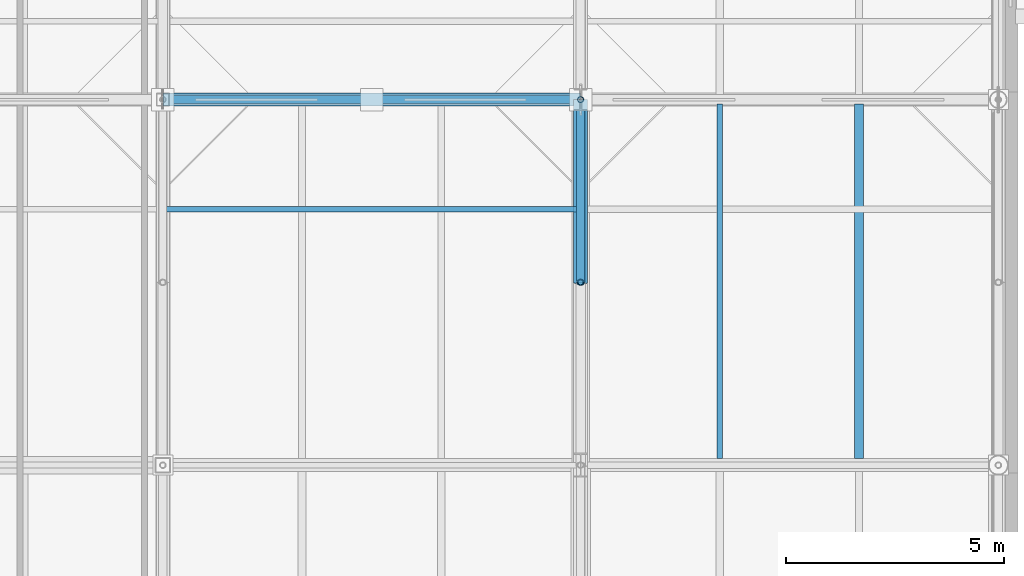
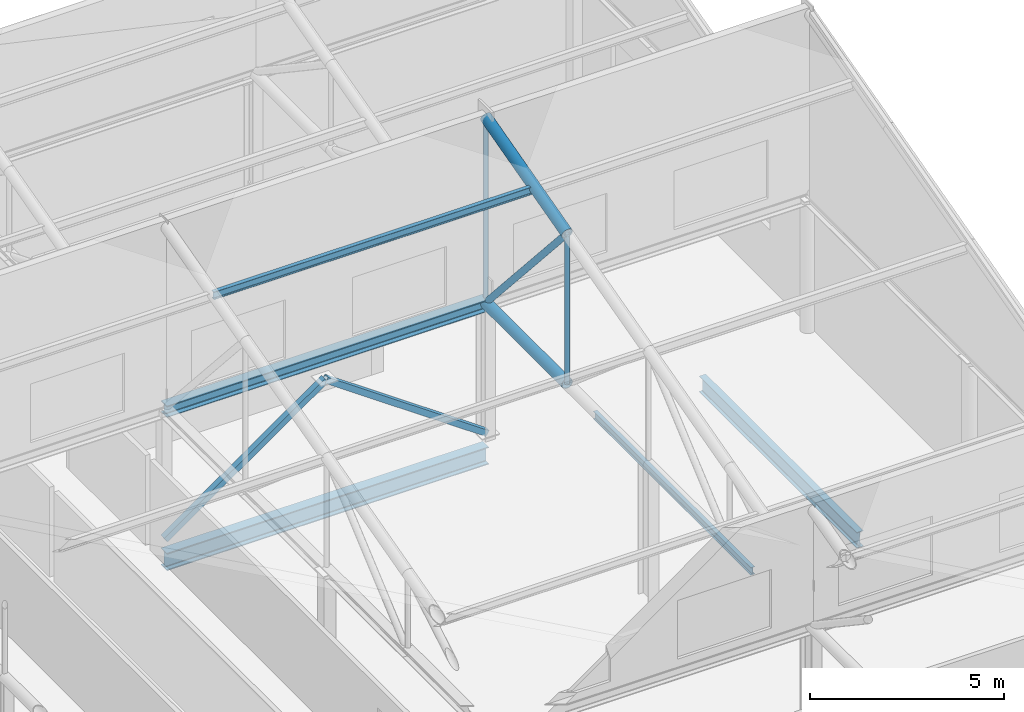
# One storey, part 52 of 89: 8 members, 4 beams.
"""IFC4 building model written with IfcOpenShell, lengths in metres."""

from ifc_helpers import new_model, si_unit, direction, frame, origin, origin_2d, place, context, subcontext, project, spatial, hollow_rectangle, hollow_circle, i_section, extrude, material, material_profile, profile_set, type_object, element, save


model = new_model("IFC4")

# Units and contexts
model_context = context("Model", 3, precision=1e-05, world=origin(), true_north=direction((0.0, 1.0)))
body_context = subcontext(model_context, "Body", "Model", "MODEL_VIEW")
ifc_project = project(units=[si_unit("LENGTHUNIT", "METRE"), si_unit("AREAUNIT", "SQUARE_METRE"), si_unit("VOLUMEUNIT", "CUBIC_METRE"), si_unit("PLANEANGLEUNIT", "RADIAN"), si_unit("MASSUNIT", "GRAM", prefix="KILO")], contexts=[model_context])

# Site, building, storey
site_placement = place(None, origin())
site = spatial("IfcSite", under=ifc_project, at=site_placement, CompositionType="ELEMENT")
building_placement = place(site_placement, origin())
building = spatial("IfcBuilding", under=site, at=building_placement, Name="Zereglee Splitstone Museum", CompositionType="ELEMENT")
storey_placement = place(building_placement, frame((0.0, 0.0, 21.300048828125)))
storey = spatial("IfcBuildingStorey", under=building, at=storey_placement, Name="L04", CompositionType="ELEMENT", Elevation=21.300048828125)

# Members
ifc_material_1 = material(Name="Steel S355J2H", Category="steel")
ifc_material_profile_1 = material_profile(ifc_material_1, hollow_circle(Radius=0.096923828125, WallThickness=0.010009765625, at=origin_2d()), Name="CHS 193.7x10")
ifc_profile_set_1 = profile_set([ifc_material_profile_1], Name="Steel S355J2H")
member_type_1 = type_object("IfcMemberType", Name="TB-04", PredefinedType="BRACE", material=ifc_profile_set_1)
member_1_placement = place(storey_placement, frame((135.60009765625, 38.39990234375, 4.199951171875), z_axis=(0.0, -0.664351853733, 0.747419971932), x_axis=(1.0, 0.0, 0.0)))
element("IfcMember", 1, at=member_1_placement, inside=storey, type_object=member_type_1, Name="Roof Truss ST-07 Diagonal 2.4", PredefinedType="BRACE", context=body_context, shape_type="SweptSolid", body=[
    extrude(hollow_circle(Radius=0.096923828125, WallThickness=0.010009765625, at=origin_2d()), origin(), (0.0, 0.0, 1.0), 6.32177734375),
])
ifc_material_profile_2 = material_profile(ifc_material_1, hollow_rectangle(XDim=0.179931640625, YDim=0.179931640625, WallThickness=0.010009765625, at=origin_2d()), Name="SHS 180x180x10")
ifc_profile_set_2 = profile_set([ifc_material_profile_2], Name="Steel S355J2H")
member_type_2 = type_object("IfcMemberType", Name="TB-08", PredefinedType="BRACE", material=ifc_profile_set_2)
for number, where, z_axis, x_axis, name in (
    (2, (126.0, 38.39990234375, 0.119873046875), (0.819226047866, 0.0, 0.573470733776), (0.0, 1.0, 0.0), "Lateral Braced Frame Chevron L04-014A"),
    (3, (135.60009765625, 38.39990234375, 0.119873046875), (-0.819226047866, 0.0, 0.573470733776), (0.0, -1.0, 0.0), "Lateral Braced Frame Chevron L04-014B"),
):
    element("IfcMember", number, at=place(storey_placement, frame(where, z_axis=z_axis, x_axis=x_axis)), inside=storey, type_object=member_type_2, Name=name, PredefinedType="BRACE", context=body_context, shape_type="SweptSolid", body=[
        extrude(hollow_rectangle(XDim=0.179931640625, YDim=0.179931640625, WallThickness=0.010009765625, at=origin_2d()), origin(), (0.0, 0.0, 1.0), 5.859130859375),
    ])
ifc_material_profile_3 = material_profile(ifc_material_1, hollow_circle(Radius=0.161865234375, WallThickness=0.01611328125, at=origin_2d()), Name="CHS 323.9x16")
ifc_profile_set_3 = profile_set([ifc_material_profile_3], Name="Steel S355J2H")
member_type_3 = type_object("IfcMemberType", Name="TC-05", PredefinedType="CHORD", material=ifc_profile_set_3)
member_2_placement = place(storey_placement, frame((135.60009765625, 34.199951171875, 4.199951171875), z_axis=(0.0, 1.0, 0.0), x_axis=(-1.0, 0.0, 0.0)))
element("IfcMember", 4, at=member_2_placement, inside=storey, type_object=member_type_3, Name="Roof Truss ST-07 Bottom Chord 2.4", PredefinedType="CHORD", context=body_context, shape_type="SweptSolid", body=[
    extrude(hollow_circle(Radius=0.161865234375, WallThickness=0.01611328125, at=origin_2d()), origin(), (0.0, 0.0, 1.0), 4.199951171875),
])
member_3_placement = place(storey_placement, frame((135.60009765625, 34.199951171875, 8.925048828125), z_axis=(0.0, 0.965947299715, 0.258738891884), x_axis=(-1.0, 0.0, 0.0)))
element("IfcMember", 5, at=member_3_placement, inside=storey, type_object=member_type_3, Name="Roof Truss ST-07 Top Chord 2.4", PredefinedType="CHORD", context=body_context, shape_type="SweptSolid", body=[
    extrude(hollow_circle(Radius=0.161865234375, WallThickness=0.01611328125, at=origin_2d()), origin(), (0.0, 0.0, 1.0), 4.347900390625),
])

# Beams
ifc_material_2 = material(Name="Steel S355J2", Category="steel")
ifc_material_profile_4 = material_profile(ifc_material_2, i_section(OverallWidth=0.300048828125, OverallDepth=0.360107421875, WebThickness=0.012451171875, FlangeThickness=0.0224609375, FilletRadius=0.027099609375, at=origin_2d()), Name="HE 360 B")
ifc_profile_set_4 = profile_set([ifc_material_profile_4], Name="Steel S355J2")
beam_type_1 = type_object("IfcBeamType", Name="BG-14", PredefinedType="BEAM", material=ifc_profile_set_4)
beam_1_placement = place(storey_placement, frame((126.0, 38.39990234375, 4.199951171875), z_axis=(1.0, 0.0, 0.0), x_axis=(0.0, 1.0, 0.0)))
element("IfcBeam", 6, at=beam_1_placement, inside=storey, type_object=beam_type_1, Name="Sawtooth Monitor Sill Beam B6-S2", PredefinedType="BEAM", context=body_context, shape_type="SweptSolid", body=[
    extrude(i_section(OverallWidth=0.300048828125, OverallDepth=0.360107421875, WebThickness=0.012451171875, FlangeThickness=0.0224609375, FilletRadius=0.027099609375, at=origin_2d()), origin(), (0.0, 0.0, 1.0), 9.60009765625),
])
ifc_material_profile_5 = material_profile(ifc_material_2, i_section(OverallWidth=0.300048828125, OverallDepth=0.550048828125, WebThickness=0.014892578125, FlangeThickness=0.029052734375, FilletRadius=0.027099609375, at=origin_2d()), Name="HE 550 B")
ifc_profile_set_5 = profile_set([ifc_material_profile_5], Name="Steel S355J2")
beam_type_2 = type_object("IfcBeamType", Name="BG-11", PredefinedType="BEAM", material=ifc_profile_set_5)
beam_2_placement = place(storey_placement, frame((126.0, 38.39990234375, -0.53515625), z_axis=(1.0, 0.0, 0.0), x_axis=(0.0, 1.0, 0.0)))
element("IfcBeam", 7, at=beam_2_placement, inside=storey, type_object=beam_type_2, Name="Primary Girder L04 E (126.0-135.6)", PredefinedType="BEAM", context=body_context, shape_type="SweptSolid", body=[
    extrude(i_section(OverallWidth=0.300048828125, OverallDepth=0.550048828125, WebThickness=0.014892578125, FlangeThickness=0.029052734375, FilletRadius=0.027099609375, at=origin_2d()), origin(), (0.0, 0.0, 1.0), 9.60009765625),
])
ifc_material_profile_6 = material_profile(ifc_material_2, i_section(OverallWidth=0.1201171875, OverallDepth=0.239990234375, WebThickness=0.006103515625, FlangeThickness=0.009765625, FilletRadius=0.014892578125, at=origin_2d()), Name="IPE 240")
ifc_profile_set_6 = profile_set([ifc_material_profile_6], Name="Steel S355J2")
beam_type_3 = type_object("IfcBeamType", Name="BJ-07", PredefinedType="JOIST", material=ifc_profile_set_6)
beam_3_placement = place(storey_placement, frame((138.800048828125, 30.14990234375, -0.380126953125), z_axis=(0.0, 1.0, 0.0), x_axis=(-1.0, 0.0, 0.0)))
element("IfcBeam", 8, at=beam_3_placement, inside=storey, type_object=beam_type_3, Name="Secondary Floor Joist L04-1546", PredefinedType="JOIST", context=body_context, shape_type="SweptSolid", body=[
    extrude(i_section(OverallWidth=0.1201171875, OverallDepth=0.239990234375, WebThickness=0.006103515625, FlangeThickness=0.009765625, FilletRadius=0.014892578125, at=origin_2d()), origin(), (0.0, 0.0, 1.0), 8.14501953125),
])
ifc_material_profile_7 = material_profile(ifc_material_2, i_section(OverallWidth=0.199951171875, OverallDepth=0.5, WebThickness=0.01025390625, FlangeThickness=0.01611328125, FilletRadius=0.02099609375, at=origin_2d()), Name="IPE 500")
ifc_profile_set_7 = profile_set([ifc_material_profile_7], Name="Steel S355J2")
beam_type_4 = type_object("IfcBeamType", Name="BJ-01", PredefinedType="JOIST", material=ifc_profile_set_7)
beam_4_placement = place(storey_placement, frame((142.0, 30.14990234375, -0.510009765625), z_axis=(0.0, 1.0, 0.0), x_axis=(-1.0, 0.0, 0.0)))
element("IfcBeam", 9, at=beam_4_placement, inside=storey, type_object=beam_type_4, Name="Secondary Floor Joist L04-1547", PredefinedType="JOIST", context=body_context, shape_type="SweptSolid", body=[
    extrude(i_section(OverallWidth=0.199951171875, OverallDepth=0.5, WebThickness=0.01025390625, FlangeThickness=0.01611328125, FilletRadius=0.02099609375, at=origin_2d()), origin(), (0.0, 0.0, 1.0), 8.14501953125),
])

# Members
ifc_material_profile_8 = material_profile(ifc_material_1, hollow_circle(Radius=0.06982421875, WallThickness=0.008056640625, at=origin_2d()), Name="CHS 139.7x8")
ifc_profile_set_8 = profile_set([ifc_material_profile_8], Name="Steel S355J2H")
member_type_4 = type_object("IfcMemberType", Name="TP-03", PredefinedType="POST", material=ifc_profile_set_8)
member_4_placement = place(storey_placement, frame((135.60009765625, 34.199951171875, 4.199951171875), z_axis=(0.0, 0.0, 1.0), x_axis=(1.0, 0.0, 0.0)))
element("IfcMember", 10, at=member_4_placement, inside=storey, type_object=member_type_4, Name="Roof Truss ST-07 Post 2.3", PredefinedType="POST", context=body_context, shape_type="SweptSolid", body=[
    extrude(hollow_circle(Radius=0.06982421875, WallThickness=0.008056640625, at=origin_2d()), origin(), (0.0, 0.0, 1.0), 4.72509765625),
])
member_5_placement = place(storey_placement, frame((135.60009765625, 38.39990234375, 4.199951171875), z_axis=(0.0, 0.0, 1.0), x_axis=(1.0, 0.0, 0.0)))
element("IfcMember", 11, at=member_5_placement, inside=storey, type_object=member_type_4, Name="Roof Truss ST-07 Post 2.4", PredefinedType="POST", context=body_context, shape_type="SweptSolid", body=[
    extrude(hollow_circle(Radius=0.06982421875, WallThickness=0.008056640625, at=origin_2d()), origin(), (0.0, 0.0, 1.0), 5.85009765625),
])
ifc_material_profile_9 = material_profile(ifc_material_2, i_section(OverallWidth=0.1201171875, OverallDepth=0.239990234375, WebThickness=0.006103515625, FlangeThickness=0.009765625, FilletRadius=0.014892578125, at=origin_2d()), Name="IPE 240")
ifc_profile_set_9 = profile_set([ifc_material_profile_9], Name="Steel S355J2")
member_type_5 = type_object("IfcMemberType", Name="PR-03", PredefinedType="PURLIN", material=ifc_profile_set_9)
member_6_placement = place(storey_placement, frame((126.0, 35.8798828125, 9.3291015625), z_axis=(1.0, 0.0, 0.0), x_axis=(0.0, 1.0, 0.0)))
element("IfcMember", 12, at=member_6_placement, inside=storey, type_object=member_type_5, Name="Sawtooth Roof Purlin B6-S2-3", PredefinedType="PURLIN", context=body_context, shape_type="SweptSolid", body=[
    extrude(i_section(OverallWidth=0.1201171875, OverallDepth=0.239990234375, WebThickness=0.006103515625, FlangeThickness=0.009765625, FilletRadius=0.014892578125, at=origin_2d()), origin(), (0.0, 0.0, 1.0), 9.60009765625),
])

save(model, "model.ifc")
